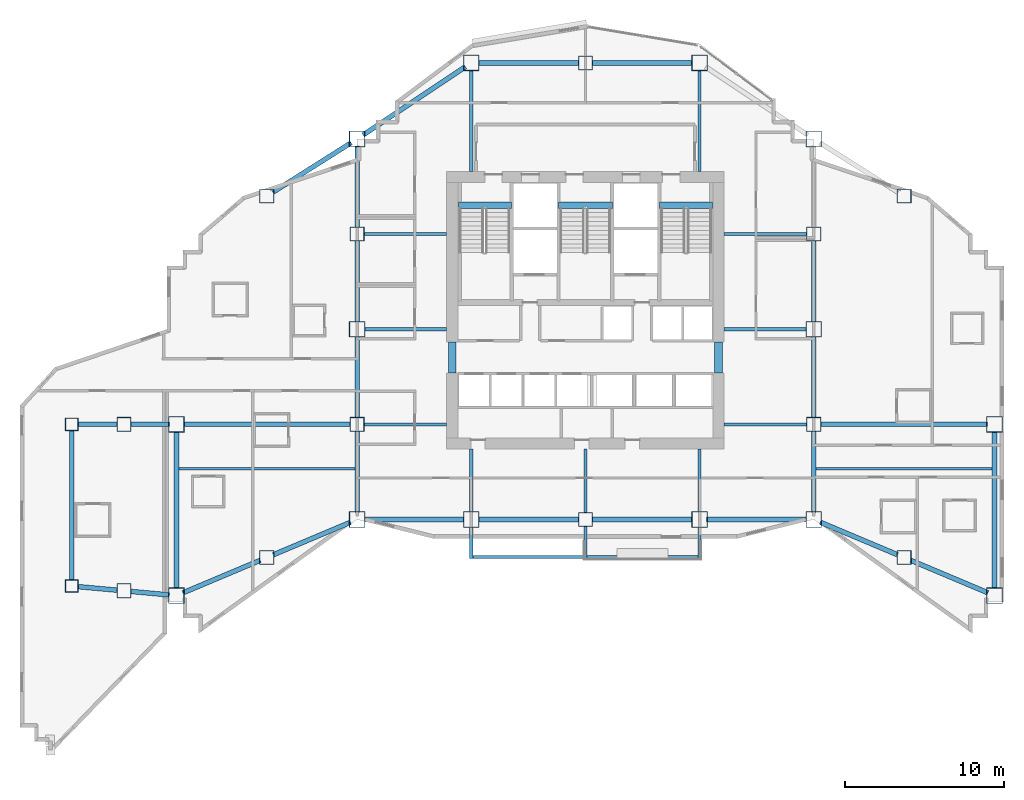
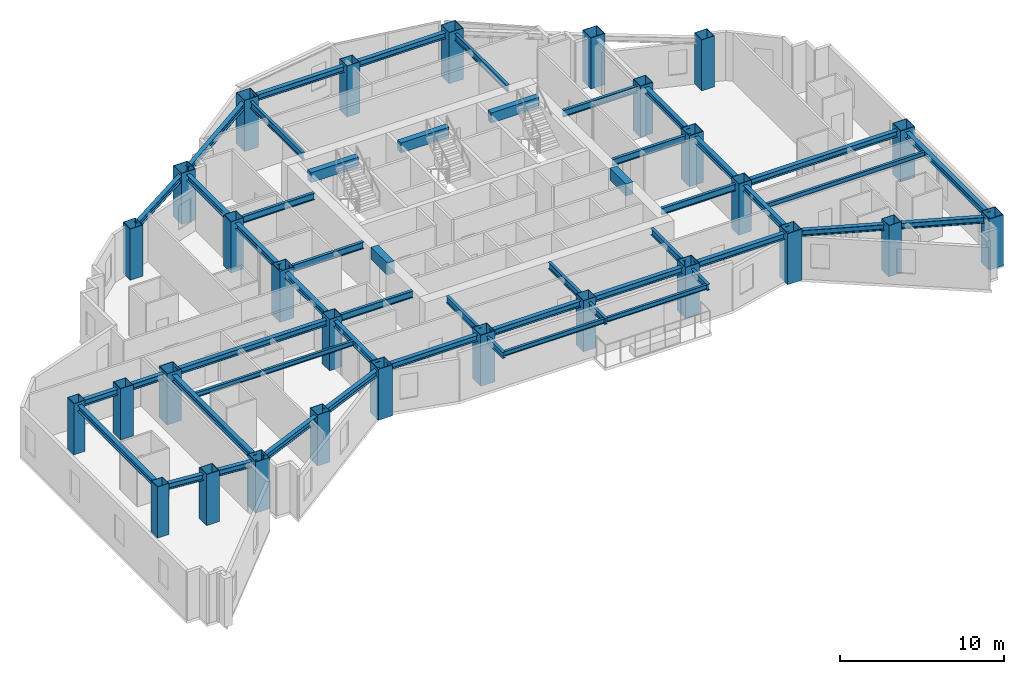
# One storey, part 1 of 13: 51 beams, 28 columns.
"""IFC4 building model written with IfcOpenShell, lengths in metres."""

from ifc_helpers import new_model, si_unit, direction, frame, origin, origin_2d, place, context, subcontext, project, spatial, rectangle, hollow_rectangle, i_section, extrude, material, material_profile, profile_set, type_object, element, save


model = new_model("IFC4")

# Units and contexts
model_context = context("Model", 3, precision=1e-05, world=origin(), true_north=direction((0.0, 1.0)))
body_context = subcontext(model_context, "Body", "Model", "MODEL_VIEW")
ifc_project = project(units=[si_unit("LENGTHUNIT", "METRE"), si_unit("AREAUNIT", "SQUARE_METRE"), si_unit("VOLUMEUNIT", "CUBIC_METRE"), si_unit("PLANEANGLEUNIT", "RADIAN"), si_unit("MASSUNIT", "GRAM", prefix="KILO")], contexts=[model_context])

# Site, building, storey
site_placement = place(None, origin())
site = spatial("IfcSite", under=ifc_project, at=site_placement, CompositionType="ELEMENT")
building_placement = place(site_placement, origin())
building = spatial("IfcBuilding", under=site, at=building_placement, Name="Haolan Belvedere Tower", CompositionType="ELEMENT")
storey_placement = place(building_placement, frame((0.0, 0.0, 106.0)))
storey = spatial("IfcBuildingStorey", under=building, at=storey_placement, Name="L26", CompositionType="ELEMENT", Elevation=106.0)

# Columns
ifc_material_1 = material(Name="Steel Q420GJC", Category="steel")
ifc_material_profile_1 = material_profile(ifc_material_1, hollow_rectangle(XDim=1.0, YDim=1.0, WallThickness=0.0380859375, at=origin_2d()), Name="Steel Q420GJC")
ifc_profile_set_1 = profile_set([ifc_material_profile_1], Name="Steel Q420GJC")
column_type_1 = type_object("IfcColumnType", Name="COL-BOX1000x1000x38", PredefinedType="COLUMN", material=ifc_profile_set_1)
for number, where, z_axis, x_axis, name in (
    (1, (24.0, 21.60009765625, 0.0), (0.0, 0.0, 1.0), (1.0, 0.0, 0.0), "L26 column MC-T3-SW (BOX1000x1000x38)"),
    (2, (24.0, 33.60009765625, 0.0), (0.0, 0.0, 1.0), (1.0, 0.0, 0.0), "L26 column MC-T3-MW (BOX1000x1000x38)"),
    (3, (24.0, 45.60009765625, 0.0), (0.0, 0.0, 1.0), (1.0, 0.0, 0.0), "L26 column MC-T3-NW (BOX1000x1000x38)"),
    (4, (52.800048828125, 21.60009765625, 0.0), (0.0, 0.0, 1.0), (1.0, 0.0, 0.0), "L26 column MC-T3-SE (BOX1000x1000x38)"),
    (5, (52.800048828125, 33.60009765625, 0.0), (0.0, 0.0, 1.0), (1.0, 0.0, 0.0), "L26 column MC-T3-ME (BOX1000x1000x38)"),
    (6, (52.800048828125, 45.60009765625, 0.0), (0.0, 0.0, 1.0), (1.0, 0.0, 0.0), "L26 column MC-T3-NE (BOX1000x1000x38)"),
    (7, (31.199951171875, 21.60009765625, 0.0), (0.0, 0.0, 1.0), (1.0, 0.0, 0.0), "L26 column MC-T3-S1 (BOX1000x1000x38)"),
    (8, (45.60009765625, 21.60009765625, 0.0), (0.0, 0.0, 1.0), (1.0, 0.0, 0.0), "L26 column MC-T3-S2 (BOX1000x1000x38)"),
    (9, (31.199951171875, 50.39990234375, 0.0), (0.0, 0.0, 1.0), (1.0, 0.0, 0.0), "L26 column MC-T3-N1 (BOX1000x1000x38)"),
    (10, (45.60009765625, 50.39990234375, 0.0), (0.0, 0.0, 1.0), (1.0, 0.0, 0.0), "L26 column MC-T3-N2 (BOX1000x1000x38)"),
    (11, (12.60009765625, 16.800048828125, 0.0), (0.0, 0.0, 1.0), (1.0, 0.0, 0.0), "L26 column MC-T2-SW (BOX1000x1000x38)"),
    (12, (12.60009765625, 27.60009765625, 0.0), (0.0, 0.0, 1.0), (1.0, 0.0, 0.0), "L26 column MC-T2-MW (BOX1000x1000x38)"),
    (13, (64.199951171875, 16.800048828125, 0.0), (0.0, 0.0, 1.0), (1.0, 0.0, 0.0), "L26 column MC-T4-SE (BOX1000x1000x38)"),
    (14, (64.199951171875, 27.60009765625, 0.0), (0.0, 0.0, 1.0), (1.0, 0.0, 0.0), "L26 column MC-T4-ME (BOX1000x1000x38)"),
):
    element("IfcColumn", number, at=place(storey_placement, frame(where, z_axis=z_axis, x_axis=x_axis)), inside=storey, type_object=column_type_1, Name=name, PredefinedType="COLUMN", context=body_context, shape_type="SweptSolid", body=[
        extrude(hollow_rectangle(XDim=1.0, YDim=1.0, WallThickness=0.0380859375, at=origin_2d()), origin(), (0.0, 0.0, 1.0), 3.800048828125),
    ])
ifc_material_2 = material(Name="Steel Q390GJC", Category="steel")
ifc_material_profile_2 = material_profile(ifc_material_2, hollow_rectangle(XDim=0.800048828125, YDim=0.800048828125, WallThickness=0.030029296875, at=origin_2d()), Name="Steel Q390GJC")
ifc_profile_set_2 = profile_set([ifc_material_profile_2], Name="Steel Q390GJC")
column_type_2 = type_object("IfcColumnType", Name="COL-BOX800x800x30", PredefinedType="COLUMN", material=ifc_profile_set_2)
for number, where, z_axis, x_axis, name in (
    (15, (6.0, 17.39990234375, 0.0), (0.0, 0.0, 1.0), (1.0, 0.0, 0.0), "L26 column MC-T1-SW (BOX800x800x30)"),
    (16, (6.0, 27.60009765625, 0.0), (0.0, 0.0, 1.0), (1.0, 0.0, 0.0), "L26 column MC-T1-NW (BOX800x800x30)"),
):
    element("IfcColumn", number, at=place(storey_placement, frame(where, z_axis=z_axis, x_axis=x_axis)), inside=storey, type_object=column_type_2, Name=name, PredefinedType="COLUMN", context=body_context, shape_type="SweptSolid", body=[
        extrude(hollow_rectangle(XDim=0.800048828125, YDim=0.800048828125, WallThickness=0.030029296875, at=origin_2d()), origin(), (0.0, 0.0, 1.0), 3.800048828125),
    ])
ifc_material_profile_3 = material_profile(ifc_material_2, hollow_rectangle(XDim=0.89990234375, YDim=0.89990234375, WallThickness=0.033935546875, at=origin_2d()), Name="Steel Q390GJC")
ifc_profile_set_3 = profile_set([ifc_material_profile_3], Name="Steel Q390GJC")
column_type_3 = type_object("IfcColumnType", Name="COL-BOX900x900x34", PredefinedType="COLUMN", material=ifc_profile_set_3)
for number, where, z_axis, x_axis, name in (
    (17, (24.0, 27.60009765625, 0.0), (0.0, 0.0, 1.0), (1.0, 0.0, 0.0), "L26 column TC-T3-W1 (BOX900x900x34)"),
    (18, (24.0, 39.60009765625, 0.0), (0.0, 0.0, 1.0), (1.0, 0.0, 0.0), "L26 column TC-T3-W2 (BOX900x900x34)"),
    (19, (52.800048828125, 27.60009765625, 0.0), (0.0, 0.0, 1.0), (1.0, 0.0, 0.0), "L26 column TC-T3-E1 (BOX900x900x34)"),
    (20, (52.800048828125, 39.60009765625, 0.0), (0.0, 0.0, 1.0), (1.0, 0.0, 0.0), "L26 column TC-T3-E2 (BOX900x900x34)"),
    (21, (38.39990234375, 21.60009765625, 0.0), (0.0, 0.0, 1.0), (1.0, 0.0, 0.0), "L26 column TC-T3-SM (BOX900x900x34)"),
    (22, (38.39990234375, 50.39990234375, 0.0), (0.0, 0.0, 1.0), (1.0, 0.0, 0.0), "L26 column TC-T3-NM (BOX900x900x34)"),
    (23, (18.300048828125, 19.199951171875, 0.0), (0.0, 0.0, 1.0), (1.0, 0.0, 0.0), "L26 column TC-T2-S1 (BOX900x900x34)"),
    (24, (18.300048828125, 42.0, 0.0), (0.0, 0.0, 1.0), (1.0, 0.0, 0.0), "L26 column TC-T2-N1 (BOX900x900x34)"),
    (25, (58.5, 19.199951171875, 0.0), (0.0, 0.0, 1.0), (1.0, 0.0, 0.0), "L26 column TC-T4-S1 (BOX900x900x34)"),
    (26, (58.5, 42.0, 0.0), (0.0, 0.0, 1.0), (1.0, 0.0, 0.0), "L26 column TC-T4-N1 (BOX900x900x34)"),
    (27, (9.300048828125, 17.10009765625, 0.0), (0.0, 0.0, 1.0), (1.0, 0.0, 0.0), "L26 column TC-T1-M1 (BOX900x900x34)"),
    (28, (9.300048828125, 27.60009765625, 0.0), (0.0, 0.0, 1.0), (1.0, 0.0, 0.0), "L26 column TC-T1-M2 (BOX900x900x34)"),
):
    element("IfcColumn", number, at=place(storey_placement, frame(where, z_axis=z_axis, x_axis=x_axis)), inside=storey, type_object=column_type_3, Name=name, PredefinedType="COLUMN", context=body_context, shape_type="SweptSolid", body=[
        extrude(hollow_rectangle(XDim=0.89990234375, YDim=0.89990234375, WallThickness=0.033935546875, at=origin_2d()), origin(), (0.0, 0.0, 1.0), 3.800048828125),
    ])

# Beams
ifc_material_3 = material(Name="Steel Q355B", Category="steel")
ifc_material_profile_4 = material_profile(ifc_material_3, i_section(OverallWidth=0.300048828125, OverallDepth=0.43994140625, WebThickness=0.010986328125, FlangeThickness=0.01806640625, FilletRadius=0.02392578125, at=origin_2d()), Name="Steel Q355B")
ifc_profile_set_4 = profile_set([ifc_material_profile_4], Name="Steel Q355B")
beam_type_1 = type_object("IfcBeamType", Name="BM-HM440x300x11x18", PredefinedType="SPANDREL", material=ifc_profile_set_4)
for number, where, z_axis, x_axis, name in (
    (29, (24.0, 22.050048828125, 3.3798828125), (0.0, 1.0, 0.0), (-1.0, 0.0, 0.0), "L26 spandrel girder MC-T3-SW-TC-T3-W1"),
    (30, (24.0, 28.050048828125, 3.3798828125), (0.0, 1.0, 0.0), (-1.0, 0.0, 0.0), "L26 spandrel girder TC-T3-W1-MC-T3-MW"),
    (31, (24.0, 34.050048828125, 3.3798828125), (0.0, 1.0, 0.0), (-1.0, 0.0, 0.0), "L26 spandrel girder MC-T3-MW-TC-T3-W2"),
    (32, (24.0, 40.050048828125, 3.3798828125), (0.0, 1.0, 0.0), (-1.0, 0.0, 0.0), "L26 spandrel girder TC-T3-W2-MC-T3-NW"),
    (33, (52.800048828125, 22.050048828125, 3.3798828125), (0.0, 1.0, 0.0), (-1.0, 0.0, 0.0), "L26 spandrel girder MC-T3-SE-TC-T3-E1"),
    (34, (52.800048828125, 28.050048828125, 3.3798828125), (0.0, 1.0, 0.0), (-1.0, 0.0, 0.0), "L26 spandrel girder TC-T3-E1-MC-T3-ME"),
    (35, (52.800048828125, 34.050048828125, 3.3798828125), (0.0, 1.0, 0.0), (-1.0, 0.0, 0.0), "L26 spandrel girder MC-T3-ME-TC-T3-E2"),
):
    element("IfcBeam", number, at=place(storey_placement, frame(where, z_axis=z_axis, x_axis=x_axis)), inside=storey, type_object=beam_type_1, Name=name, PredefinedType="SPANDREL", context=body_context, shape_type="SweptSolid", body=[
        extrude(i_section(OverallWidth=0.300048828125, OverallDepth=0.43994140625, WebThickness=0.010986328125, FlangeThickness=0.01806640625, FilletRadius=0.02392578125, at=origin_2d()), origin(), (0.0, 0.0, 1.0), 5.099853515625),
    ])
for number, where, z_axis, x_axis, name in (
    (36, (24.449951171875, 21.60009765625, 3.3798828125), (1.0, 0.0, 0.0), (0.0, 1.0, 0.0), "L26 spandrel girder MC-T3-SW-MC-T3-S1"),
    (37, (31.64990234375, 21.60009765625, 3.3798828125), (1.0, 0.0, 0.0), (0.0, 1.0, 0.0), "L26 spandrel girder MC-T3-S1-TC-T3-SM"),
):
    element("IfcBeam", number, at=place(storey_placement, frame(where, z_axis=z_axis, x_axis=x_axis)), inside=storey, type_object=beam_type_1, Name=name, PredefinedType="SPANDREL", context=body_context, shape_type="SweptSolid", body=[
        extrude(i_section(OverallWidth=0.300048828125, OverallDepth=0.43994140625, WebThickness=0.010986328125, FlangeThickness=0.01806640625, FilletRadius=0.02392578125, at=origin_2d()), origin(), (0.0, 0.0, 1.0), 6.300048828125),
    ])
beam_1_placement = place(storey_placement, frame((38.85009765625, 21.60009765625, 3.3798828125), z_axis=(1.0, 0.0, 0.0), x_axis=(0.0, 1.0, 0.0)))
element("IfcBeam", 38, at=beam_1_placement, inside=storey, type_object=beam_type_1, Name="L26 spandrel girder TC-T3-SM-MC-T3-S2", PredefinedType="SPANDREL", context=body_context, shape_type="SweptSolid", body=[
    extrude(i_section(OverallWidth=0.300048828125, OverallDepth=0.43994140625, WebThickness=0.010986328125, FlangeThickness=0.01806640625, FilletRadius=0.02392578125, at=origin_2d()), origin(), (0.0, 0.0, 1.0), 6.2998046875),
])
beam_2_placement = place(storey_placement, frame((46.050048828125, 21.60009765625, 3.3798828125), z_axis=(1.0, 0.0, 0.0), x_axis=(0.0, 1.0, 0.0)))
element("IfcBeam", 39, at=beam_2_placement, inside=storey, type_object=beam_type_1, Name="L26 spandrel girder MC-T3-S2-MC-T3-SE", PredefinedType="SPANDREL", context=body_context, shape_type="SweptSolid", body=[
    extrude(i_section(OverallWidth=0.300048828125, OverallDepth=0.43994140625, WebThickness=0.010986328125, FlangeThickness=0.01806640625, FilletRadius=0.02392578125, at=origin_2d()), origin(), (0.0, 0.0, 1.0), 6.300048828125),
])
beam_3_placement = place(storey_placement, frame((24.37451171875, 45.849609375, 3.3798828125), z_axis=(0.832050294338, 0.554700196225, 0.0), x_axis=(-0.554700196225, 0.832050294338, 0.0)))
element("IfcBeam", 40, at=beam_3_placement, inside=storey, type_object=beam_type_1, Name="L26 spandrel girder MC-T3-NW-MC-T3-N1", PredefinedType="SPANDREL", context=body_context, shape_type="SweptSolid", body=[
    extrude(i_section(OverallWidth=0.300048828125, OverallDepth=0.43994140625, WebThickness=0.010986328125, FlangeThickness=0.01806640625, FilletRadius=0.02392578125, at=origin_2d()), origin(), (0.0, 0.0, 1.0), 7.75341796875),
])
beam_4_placement = place(storey_placement, frame((31.64990234375, 50.39990234375, 3.3798828125), z_axis=(1.0, 0.0, 0.0), x_axis=(0.0, 1.0, 0.0)))
element("IfcBeam", 41, at=beam_4_placement, inside=storey, type_object=beam_type_1, Name="L26 spandrel girder MC-T3-N1-TC-T3-NM", PredefinedType="SPANDREL", context=body_context, shape_type="SweptSolid", body=[
    extrude(i_section(OverallWidth=0.300048828125, OverallDepth=0.43994140625, WebThickness=0.010986328125, FlangeThickness=0.01806640625, FilletRadius=0.02392578125, at=origin_2d()), origin(), (0.0, 0.0, 1.0), 6.300048828125),
])
beam_5_placement = place(storey_placement, frame((38.85009765625, 50.39990234375, 3.3798828125), z_axis=(1.0, 0.0, 0.0), x_axis=(0.0, 1.0, 0.0)))
element("IfcBeam", 42, at=beam_5_placement, inside=storey, type_object=beam_type_1, Name="L26 spandrel girder TC-T3-NM-MC-T3-N2", PredefinedType="SPANDREL", context=body_context, shape_type="SweptSolid", body=[
    extrude(i_section(OverallWidth=0.300048828125, OverallDepth=0.43994140625, WebThickness=0.010986328125, FlangeThickness=0.01806640625, FilletRadius=0.02392578125, at=origin_2d()), origin(), (0.0, 0.0, 1.0), 6.2998046875),
])
beam_6_placement = place(storey_placement, frame((12.60009765625, 17.25, 3.3798828125), z_axis=(0.0, 1.0, 0.0), x_axis=(-1.0, 0.0, 0.0)))
element("IfcBeam", 43, at=beam_6_placement, inside=storey, type_object=beam_type_1, Name="L26 spandrel girder MC-T2-SW-MC-T2-MW", PredefinedType="SPANDREL", context=body_context, shape_type="SweptSolid", body=[
    extrude(i_section(OverallWidth=0.300048828125, OverallDepth=0.43994140625, WebThickness=0.010986328125, FlangeThickness=0.01806640625, FilletRadius=0.02392578125, at=origin_2d()), origin(), (0.0, 0.0, 1.0), 9.89990234375),
])
beam_7_placement = place(storey_placement, frame((13.0146484375, 16.974609375, 3.3798828125), z_axis=(0.921635375138, 0.388057000058, 0.0), x_axis=(-0.388057000058, 0.921635375138, 0.0)))
element("IfcBeam", 44, at=beam_7_placement, inside=storey, type_object=beam_type_1, Name="L26 spandrel girder MC-T2-SW-TC-T2-S1", PredefinedType="SPANDREL", context=body_context, shape_type="SweptSolid", body=[
    extrude(i_section(OverallWidth=0.300048828125, OverallDepth=0.43994140625, WebThickness=0.010986328125, FlangeThickness=0.01806640625, FilletRadius=0.02392578125, at=origin_2d()), origin(), (0.0, 0.0, 1.0), 5.28466796875),
])
beam_8_placement = place(storey_placement, frame((18.71484375, 19.37451171875, 3.3798828125), z_axis=(0.92162841793, 0.388073523014, 0.0), x_axis=(-0.388073523014, 0.92162841793, 0.0)))
element("IfcBeam", 45, at=beam_8_placement, inside=storey, type_object=beam_type_1, Name="L26 spandrel girder TC-T2-S1-MC-T3-SW", PredefinedType="SPANDREL", context=body_context, shape_type="SweptSolid", body=[
    extrude(i_section(OverallWidth=0.300048828125, OverallDepth=0.43994140625, WebThickness=0.010986328125, FlangeThickness=0.01806640625, FilletRadius=0.02392578125, at=origin_2d()), origin(), (0.0, 0.0, 1.0), 5.284423828125),
])
beam_9_placement = place(storey_placement, frame((18.680419921875, 42.240234375, 3.3798828125), z_axis=(0.845497840649, 0.533978839898, 0.0), x_axis=(-0.533978839898, 0.845497840649, 0.0)))
element("IfcBeam", 46, at=beam_9_placement, inside=storey, type_object=beam_type_1, Name="L26 spandrel girder TC-T2-N1-MC-T3-NW", PredefinedType="SPANDREL", context=body_context, shape_type="SweptSolid", body=[
    extrude(i_section(OverallWidth=0.300048828125, OverallDepth=0.43994140625, WebThickness=0.010986328125, FlangeThickness=0.01806640625, FilletRadius=0.02392578125, at=origin_2d()), origin(), (0.0, 0.0, 1.0), 5.841796875),
])
beam_10_placement = place(storey_placement, frame((13.050048828125, 27.60009765625, 3.3798828125), z_axis=(1.0, 0.0, 0.0), x_axis=(0.0, 1.0, 0.0)))
element("IfcBeam", 47, at=beam_10_placement, inside=storey, type_object=beam_type_1, Name="L26 spandrel girder MC-T2-MW-TC-T3-W1", PredefinedType="SPANDREL", context=body_context, shape_type="SweptSolid", body=[
    extrude(i_section(OverallWidth=0.300048828125, OverallDepth=0.43994140625, WebThickness=0.010986328125, FlangeThickness=0.01806640625, FilletRadius=0.02392578125, at=origin_2d()), origin(), (0.0, 0.0, 1.0), 10.5),
])
beam_11_placement = place(storey_placement, frame((64.199951171875, 17.25, 3.3798828125), z_axis=(0.0, 1.0, 0.0), x_axis=(-1.0, 0.0, 0.0)))
element("IfcBeam", 48, at=beam_11_placement, inside=storey, type_object=beam_type_1, Name="L26 spandrel girder MC-T4-SE-MC-T4-ME", PredefinedType="SPANDREL", context=body_context, shape_type="SweptSolid", body=[
    extrude(i_section(OverallWidth=0.300048828125, OverallDepth=0.43994140625, WebThickness=0.010986328125, FlangeThickness=0.01806640625, FilletRadius=0.02392578125, at=origin_2d()), origin(), (0.0, 0.0, 1.0), 9.89990234375),
])
for number, where, z_axis, x_axis, name in (
    (49, (53.21484375, 21.42529296875, 3.3798828125), (0.92162841793, -0.388073523014, 0.0), (0.388073523014, 0.92162841793, 0.0), "L26 spandrel girder MC-T3-SE-TC-T4-S1"),
    (50, (58.914794921875, 19.025390625, 3.3798828125), (0.92162841793, -0.388073523014, 0.0), (0.388073523014, 0.92162841793, 0.0), "L26 spandrel girder TC-T4-S1-MC-T4-SE"),
):
    element("IfcBeam", number, at=place(storey_placement, frame(where, z_axis=z_axis, x_axis=x_axis)), inside=storey, type_object=beam_type_1, Name=name, PredefinedType="SPANDREL", context=body_context, shape_type="SweptSolid", body=[
        extrude(i_section(OverallWidth=0.300048828125, OverallDepth=0.43994140625, WebThickness=0.010986328125, FlangeThickness=0.01806640625, FilletRadius=0.02392578125, at=origin_2d()), origin(), (0.0, 0.0, 1.0), 5.284423828125),
    ])
beam_12_placement = place(storey_placement, frame((53.25, 27.60009765625, 3.3798828125), z_axis=(1.0, 0.0, 0.0), x_axis=(0.0, 1.0, 0.0)))
element("IfcBeam", 51, at=beam_12_placement, inside=storey, type_object=beam_type_1, Name="L26 spandrel girder TC-T3-E1-MC-T4-ME", PredefinedType="SPANDREL", context=body_context, shape_type="SweptSolid", body=[
    extrude(i_section(OverallWidth=0.300048828125, OverallDepth=0.43994140625, WebThickness=0.010986328125, FlangeThickness=0.01806640625, FilletRadius=0.02392578125, at=origin_2d()), origin(), (0.0, 0.0, 1.0), 10.5),
])
beam_13_placement = place(storey_placement, frame((6.0, 17.800048828125, 3.3798828125), z_axis=(0.0, 1.0, 0.0), x_axis=(-1.0, 0.0, 0.0)))
element("IfcBeam", 52, at=beam_13_placement, inside=storey, type_object=beam_type_1, Name="L26 spandrel girder MC-T1-SW-MC-T1-NW", PredefinedType="SPANDREL", context=body_context, shape_type="SweptSolid", body=[
    extrude(i_section(OverallWidth=0.300048828125, OverallDepth=0.43994140625, WebThickness=0.010986328125, FlangeThickness=0.01806640625, FilletRadius=0.02392578125, at=origin_2d()), origin(), (0.0, 0.0, 1.0), 9.39990234375),
])
beam_14_placement = place(storey_placement, frame((6.3984375, 17.36376953125, 3.3798828125), z_axis=(0.995889143855, -0.090580423672, 0.0), x_axis=(0.090580423672, 0.995889143855, 0.0)))
element("IfcBeam", 53, at=beam_14_placement, inside=storey, type_object=beam_type_1, Name="L26 spandrel girder MC-T1-SW-TC-T1-M1", PredefinedType="SPANDREL", context=body_context, shape_type="SweptSolid", body=[
    extrude(i_section(OverallWidth=0.300048828125, OverallDepth=0.43994140625, WebThickness=0.010986328125, FlangeThickness=0.01806640625, FilletRadius=0.02392578125, at=origin_2d()), origin(), (0.0, 0.0, 1.0), 2.46337890625),
])
beam_15_placement = place(storey_placement, frame((9.748046875, 17.059326171875, 3.3798828125), z_axis=(0.9958940355, -0.090526626221, 0.0), x_axis=(0.090526626221, 0.9958940355, 0.0)))
element("IfcBeam", 54, at=beam_15_placement, inside=storey, type_object=beam_type_1, Name="L26 spandrel girder TC-T1-M1-MC-T2-SW", PredefinedType="SPANDREL", context=body_context, shape_type="SweptSolid", body=[
    extrude(i_section(OverallWidth=0.300048828125, OverallDepth=0.43994140625, WebThickness=0.010986328125, FlangeThickness=0.01806640625, FilletRadius=0.02392578125, at=origin_2d()), origin(), (0.0, 0.0, 1.0), 2.413818359375),
])
beam_16_placement = place(storey_placement, frame((6.39990234375, 27.60009765625, 3.3798828125), z_axis=(1.0, 0.0, 0.0), x_axis=(0.0, 1.0, 0.0)))
element("IfcBeam", 55, at=beam_16_placement, inside=storey, type_object=beam_type_1, Name="L26 spandrel girder MC-T1-NW-TC-T1-M2", PredefinedType="SPANDREL", context=body_context, shape_type="SweptSolid", body=[
    extrude(i_section(OverallWidth=0.300048828125, OverallDepth=0.43994140625, WebThickness=0.010986328125, FlangeThickness=0.01806640625, FilletRadius=0.02392578125, at=origin_2d()), origin(), (0.0, 0.0, 1.0), 2.4501953125),
])
beam_17_placement = place(storey_placement, frame((9.75, 27.60009765625, 3.3798828125), z_axis=(1.0, 0.0, 0.0), x_axis=(0.0, 1.0, 0.0)))
element("IfcBeam", 56, at=beam_17_placement, inside=storey, type_object=beam_type_1, Name="L26 spandrel girder TC-T1-M2-MC-T2-MW", PredefinedType="SPANDREL", context=body_context, shape_type="SweptSolid", body=[
    extrude(i_section(OverallWidth=0.300048828125, OverallDepth=0.43994140625, WebThickness=0.010986328125, FlangeThickness=0.01806640625, FilletRadius=0.02392578125, at=origin_2d()), origin(), (0.0, 0.0, 1.0), 2.39990234375),
])
ifc_material_profile_5 = material_profile(ifc_material_3, i_section(OverallWidth=0.175048828125, OverallDepth=0.35009765625, WebThickness=0.007080078125, FlangeThickness=0.010986328125, FilletRadius=0.012939453125, at=origin_2d()), Name="Steel Q355B")
ifc_profile_set_5 = profile_set([ifc_material_profile_5], Name="Steel Q355B")
beam_type_2 = type_object("IfcBeamType", Name="BM-HN350x175x7x11", PredefinedType="JOIST", material=ifc_profile_set_5)
for number, where, z_axis, x_axis, name in (
    (57, (12.75, 24.800048828125, 3.425048828125), (1.0, 0.0, 0.0), (0.0, 1.0, 0.0), "L26 west wing floor joist 1"),
    (58, (52.949951171875, 24.800048828125, 3.425048828125), (1.0, 0.0, 0.0), (0.0, 1.0, 0.0), "L26 east wing floor joist 1"),
):
    element("IfcBeam", number, at=place(storey_placement, frame(where, z_axis=z_axis, x_axis=x_axis)), inside=storey, type_object=beam_type_2, Name=name, PredefinedType="JOIST", context=body_context, shape_type="SweptSolid", body=[
        extrude(i_section(OverallWidth=0.175048828125, OverallDepth=0.35009765625, WebThickness=0.007080078125, FlangeThickness=0.010986328125, FilletRadius=0.012939453125, at=origin_2d()), origin(), (0.0, 0.0, 1.0), 11.10009765625),
    ])
for number, where, z_axis, x_axis, name in (
    (59, (31.300048828125, 19.239990234375, 3.39501953125), (1.0, 0.0, 0.0), (0.0, 1.0, 0.0), "L27 tree-balcony front trimmer beam 1"),
    (60, (38.5, 19.239990234375, 3.39501953125), (1.0, 0.0, 0.0), (0.0, 1.0, 0.0), "L27 tree-balcony front trimmer beam 2"),
):
    element("IfcBeam", number, at=place(storey_placement, frame(where, z_axis=z_axis, x_axis=x_axis)), inside=storey, type_object=beam_type_2, Name=name, PredefinedType="BEAM", context=body_context, shape_type="SweptSolid", body=[
        extrude(i_section(OverallWidth=0.175048828125, OverallDepth=0.35009765625, WebThickness=0.007080078125, FlangeThickness=0.010986328125, FilletRadius=0.012939453125, at=origin_2d()), origin(), (0.0, 0.0, 1.0), 7.0),
    ])
ifc_material_profile_6 = material_profile(ifc_material_3, i_section(OverallWidth=0.199951171875, OverallDepth=0.449951171875, WebThickness=0.009033203125, FlangeThickness=0.013916015625, FilletRadius=0.01611328125, at=origin_2d()), Name="Steel Q355B")
ifc_profile_set_6 = profile_set([ifc_material_profile_6], Name="Steel Q355B")
beam_type_3 = type_object("IfcBeamType", Name="BM-HN450x200x9x14", PredefinedType="BEAM", material=ifc_profile_set_6)
beam_18_placement = place(storey_placement, frame((31.199951171875, 21.10009765625, 3.344970703125), z_axis=(0.0, -1.0, 0.0), x_axis=(1.0, 0.0, 0.0)))
element("IfcBeam", 61, at=beam_18_placement, inside=storey, type_object=beam_type_3, Name="L27 tree-balcony column cantilever MC-T3-S1", PredefinedType="BEAM", context=body_context, shape_type="SweptSolid", body=[
    extrude(i_section(OverallWidth=0.199951171875, OverallDepth=0.449951171875, WebThickness=0.009033203125, FlangeThickness=0.013916015625, FilletRadius=0.01611328125, at=origin_2d()), origin(), (0.0, 0.0, 1.0), 1.960205078125),
])
beam_19_placement = place(storey_placement, frame((38.39990234375, 21.14990234375, 3.344970703125), z_axis=(0.0, -1.0, 0.0), x_axis=(1.0, 0.0, 0.0)))
element("IfcBeam", 62, at=beam_19_placement, inside=storey, type_object=beam_type_3, Name="L27 tree-balcony column cantilever TC-T3-SM", PredefinedType="BEAM", context=body_context, shape_type="SweptSolid", body=[
    extrude(i_section(OverallWidth=0.199951171875, OverallDepth=0.449951171875, WebThickness=0.009033203125, FlangeThickness=0.013916015625, FilletRadius=0.01611328125, at=origin_2d()), origin(), (0.0, 0.0, 1.0), 2.010009765625),
])
beam_20_placement = place(storey_placement, frame((45.60009765625, 21.10009765625, 3.344970703125), z_axis=(0.0, -1.0, 0.0), x_axis=(1.0, 0.0, 0.0)))
element("IfcBeam", 63, at=beam_20_placement, inside=storey, type_object=beam_type_3, Name="L27 tree-balcony column cantilever MC-T3-S2", PredefinedType="BEAM", context=body_context, shape_type="SweptSolid", body=[
    extrude(i_section(OverallWidth=0.199951171875, OverallDepth=0.449951171875, WebThickness=0.009033203125, FlangeThickness=0.013916015625, FilletRadius=0.01611328125, at=origin_2d()), origin(), (0.0, 0.0, 1.0), 1.960205078125),
])
ifc_material_profile_7 = material_profile(ifc_material_3, i_section(OverallWidth=0.199951171875, OverallDepth=0.5, WebThickness=0.010009765625, FlangeThickness=0.01611328125, FilletRadius=0.02001953125, at=origin_2d()), Name="Steel Q355B")
ifc_profile_set_7 = profile_set([ifc_material_profile_7], Name="Steel Q355B")
beam_type_4 = type_object("IfcBeamType", Name="BM-HN500x200x10x16", PredefinedType="BEAM", material=ifc_profile_set_7)
for number, where, z_axis, x_axis, name in (
    (64, (24.449951171875, 33.60009765625, 3.35009765625), (1.0, 0.0, 0.0), (0.0, 1.0, 0.0), "L26 core tie beam from MC-T3-MW"),
    (65, (24.449951171875, 27.60009765625, 3.35009765625), (1.0, 0.0, 0.0), (0.0, 1.0, 0.0), "L26 core tie beam from TC-T3-W1"),
    (66, (24.449951171875, 39.60009765625, 3.35009765625), (1.0, 0.0, 0.0), (0.0, 1.0, 0.0), "L26 core tie beam from TC-T3-W2"),
):
    element("IfcBeam", number, at=place(storey_placement, frame(where, z_axis=z_axis, x_axis=x_axis)), inside=storey, type_object=beam_type_4, Name=name, PredefinedType="BEAM", context=body_context, shape_type="SweptSolid", body=[
        extrude(i_section(OverallWidth=0.199951171875, OverallDepth=0.5, WebThickness=0.010009765625, FlangeThickness=0.01611328125, FilletRadius=0.02001953125, at=origin_2d()), origin(), (0.0, 0.0, 1.0), 5.199951171875),
    ])
for number, where, z_axis, x_axis, name in (
    (67, (52.35009765625, 33.60009765625, 3.35009765625), (-1.0, 0.0, 0.0), (0.0, -1.0, 0.0), "L26 core tie beam from MC-T3-ME"),
    (68, (52.35009765625, 27.60009765625, 3.35009765625), (-1.0, 0.0, 0.0), (0.0, -1.0, 0.0), "L26 core tie beam from TC-T3-E1"),
    (69, (52.35009765625, 39.60009765625, 3.35009765625), (-1.0, 0.0, 0.0), (0.0, -1.0, 0.0), "L26 core tie beam from TC-T3-E2"),
):
    element("IfcBeam", number, at=place(storey_placement, frame(where, z_axis=z_axis, x_axis=x_axis)), inside=storey, type_object=beam_type_4, Name=name, PredefinedType="BEAM", context=body_context, shape_type="SweptSolid", body=[
        extrude(i_section(OverallWidth=0.199951171875, OverallDepth=0.5, WebThickness=0.010009765625, FlangeThickness=0.01611328125, FilletRadius=0.02001953125, at=origin_2d()), origin(), (0.0, 0.0, 1.0), 5.2001953125),
    ])
for number, where, z_axis, x_axis, name in (
    (70, (31.199951171875, 22.050048828125, 3.35009765625), (0.0, 1.0, 0.0), (-1.0, 0.0, 0.0), "L26 core tie beam from MC-T3-S1"),
    (71, (38.39990234375, 22.050048828125, 3.35009765625), (0.0, 1.0, 0.0), (-1.0, 0.0, 0.0), "L26 core tie beam from TC-T3-SM"),
    (72, (45.60009765625, 22.050048828125, 3.35009765625), (0.0, 1.0, 0.0), (-1.0, 0.0, 0.0), "L26 core tie beam from MC-T3-S2"),
):
    element("IfcBeam", number, at=place(storey_placement, frame(where, z_axis=z_axis, x_axis=x_axis)), inside=storey, type_object=beam_type_4, Name=name, PredefinedType="BEAM", context=body_context, shape_type="SweptSolid", body=[
        extrude(i_section(OverallWidth=0.199951171875, OverallDepth=0.5, WebThickness=0.010009765625, FlangeThickness=0.01611328125, FilletRadius=0.02001953125, at=origin_2d()), origin(), (0.0, 0.0, 1.0), 4.0),
    ])
for number, where, z_axis, x_axis, name in (
    (73, (31.199951171875, 49.949951171875, 3.35009765625), (0.0, -1.0, 0.0), (1.0, 0.0, 0.0), "L26 core tie beam from MC-T3-N1"),
    (74, (45.60009765625, 49.949951171875, 3.35009765625), (0.0, -1.0, 0.0), (1.0, 0.0, 0.0), "L26 core tie beam from MC-T3-N2"),
):
    element("IfcBeam", number, at=place(storey_placement, frame(where, z_axis=z_axis, x_axis=x_axis)), inside=storey, type_object=beam_type_4, Name=name, PredefinedType="BEAM", context=body_context, shape_type="SweptSolid", body=[
        extrude(i_section(OverallWidth=0.199951171875, OverallDepth=0.5, WebThickness=0.010009765625, FlangeThickness=0.01611328125, FilletRadius=0.02001953125, at=origin_2d()), origin(), (0.0, 0.0, 1.0), 6.39990234375),
    ])
ifc_material_4 = material(Name="Concrete C50/60", Category="concrete")
ifc_material_profile_8 = material_profile(ifc_material_4, rectangle(XDim=0.39990234375, YDim=0.75, at=origin_2d()), Name="Concrete C50/60")
ifc_profile_set_8 = profile_set([ifc_material_profile_8], Name="Concrete C50/60")
beam_type_5 = type_object("IfcBeamType", Name="BM-RC400x750", PredefinedType="T_BEAM", material=ifc_profile_set_8)
beam_21_placement = place(storey_placement, frame((30.3798828125, 41.429931640625, 3.425048828125), z_axis=(1.0, 0.0, 0.0), x_axis=(0.0, 1.0, 0.0)))
element("IfcBeam", 75, at=beam_21_placement, inside=storey, type_object=beam_type_5, Name="L27 stair ST1 RC header trimmer beam", PredefinedType="BEAM", context=body_context, shape_type="SweptSolid", body=[
    extrude(rectangle(XDim=0.39990234375, YDim=0.75, at=origin_2d()), origin(), (0.0, 0.0, 1.0), 3.360107421875),
])
beam_22_placement = place(storey_placement, frame((36.699951171875, 41.429931640625, 3.425048828125), z_axis=(1.0, 0.0, 0.0), x_axis=(0.0, 1.0, 0.0)))
element("IfcBeam", 76, at=beam_22_placement, inside=storey, type_object=beam_type_5, Name="L27 stair ST3 RC header trimmer beam", PredefinedType="BEAM", context=body_context, shape_type="SweptSolid", body=[
    extrude(rectangle(XDim=0.39990234375, YDim=0.75, at=origin_2d()), origin(), (0.0, 0.0, 1.0), 3.400146484375),
])
beam_23_placement = place(storey_placement, frame((43.06005859375, 41.429931640625, 3.425048828125), z_axis=(1.0, 0.0, 0.0), x_axis=(0.0, 1.0, 0.0)))
element("IfcBeam", 77, at=beam_23_placement, inside=storey, type_object=beam_type_5, Name="L27 stair ST2 RC header trimmer beam", PredefinedType="BEAM", context=body_context, shape_type="SweptSolid", body=[
    extrude(rectangle(XDim=0.39990234375, YDim=0.75, at=origin_2d()), origin(), (0.0, 0.0, 1.0), 3.35986328125),
])
ifc_material_5 = material(Name="Concrete C60/75", Category="concrete")
ifc_material_profile_9 = material_profile(ifc_material_5, rectangle(XDim=0.5, YDim=0.89990234375, at=origin_2d()), Name="Concrete C60/75")
ifc_profile_set_9 = profile_set([ifc_material_profile_9], Name="Concrete C60/75")
beam_type_6 = type_object("IfcBeamType", Name="BM-RC500x900", PredefinedType="LINTEL", material=ifc_profile_set_9)
for number, where, z_axis, x_axis, name in (
    (78, (30.0, 30.85009765625, 3.14990234375), (0.0, 1.0, 0.0), (-1.0, 0.0, 0.0), "L26 west core coupling beam CB-01"),
    (79, (46.800048828125, 30.85009765625, 3.14990234375), (0.0, 1.0, 0.0), (-1.0, 0.0, 0.0), "L26 east core coupling beam CB-01"),
):
    element("IfcBeam", number, at=place(storey_placement, frame(where, z_axis=z_axis, x_axis=x_axis)), inside=storey, type_object=beam_type_6, Name=name, PredefinedType="LINTEL", context=body_context, shape_type="SweptSolid", body=[
        extrude(rectangle(XDim=0.5, YDim=0.89990234375, at=origin_2d()), origin(), (0.0, 0.0, 1.0), 1.949951171875),
    ])

save(model, "model.ifc")
